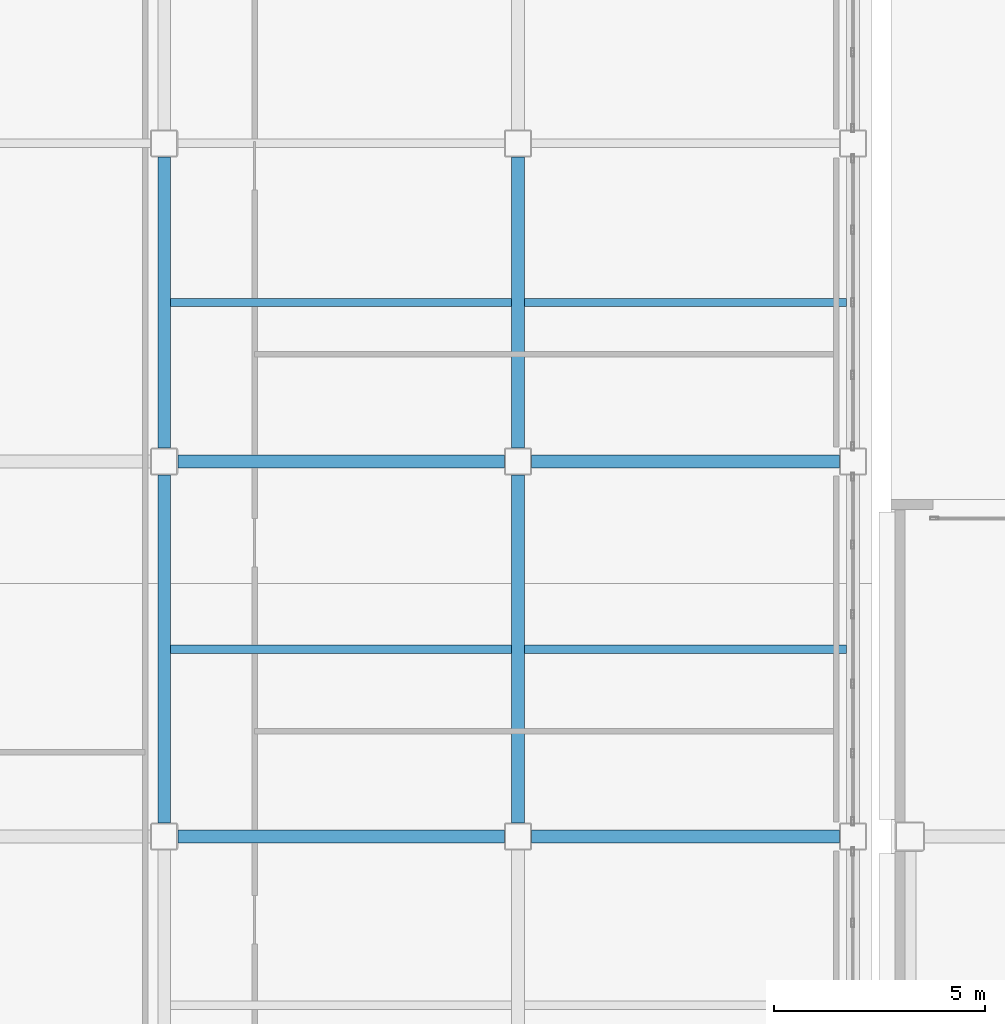
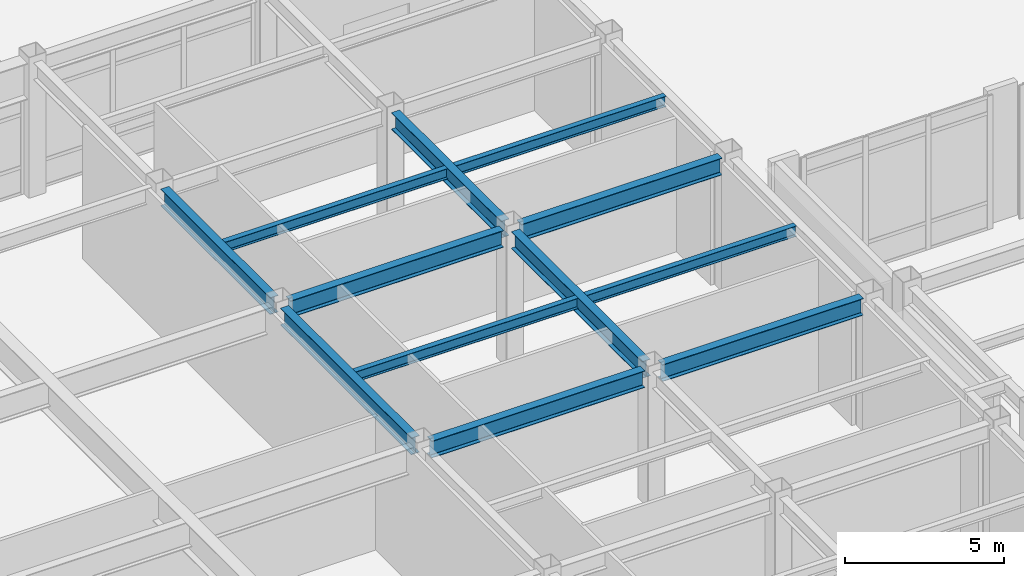
# One storey, part 53 of 165: 12 beams.
"""IFC4 building model written with IfcOpenShell, lengths in metres."""

from ifc_helpers import new_model, si_unit, direction, frame, origin, origin_2d, place, context, subcontext, project, spatial, i_section, extrude, material, material_profile, profile_set, type_object, element, save


model = new_model("IFC4")

# Units and contexts
model_context = context("Model", 3, precision=1e-05, world=origin(), true_north=direction((0.0, 1.0)))
body_context = subcontext(model_context, "Body", "Model", "MODEL_VIEW")
ifc_project = project(units=[si_unit("LENGTHUNIT", "METRE"), si_unit("AREAUNIT", "SQUARE_METRE"), si_unit("VOLUMEUNIT", "CUBIC_METRE"), si_unit("PLANEANGLEUNIT", "RADIAN"), si_unit("MASSUNIT", "GRAM", prefix="KILO")], contexts=[model_context])

# Site, building, storey
site_placement = place(None, origin())
site = spatial("IfcSite", under=ifc_project, at=site_placement, CompositionType="ELEMENT")
building_placement = place(site_placement, origin())
building = spatial("IfcBuilding", under=site, at=building_placement, Name="Kazehara Bluff Congress Hotel", CompositionType="ELEMENT")
storey_placement = place(building_placement, origin())
storey = spatial("IfcBuildingStorey", under=building, at=storey_placement, Name="L00", CompositionType="ELEMENT", Elevation=0.0)

# Beams
ifc_material_1 = material(Name="Steel SN490B", Category="steel")
ifc_material_profile_1 = material_profile(ifc_material_1, i_section(OverallWidth=0.300048828125, OverallDepth=0.64990234375, WebThickness=0.011962890625, FlangeThickness=0.02001953125, FilletRadius=0.012939453125, at=origin_2d()))
ifc_profile_set_1 = profile_set([ifc_material_profile_1], Name="Steel SN490B")
beam_type_1 = type_object("IfcBeamType", Name="TP-G-03", PredefinedType="BEAM", material=ifc_profile_set_1)
beam_1_placement = place(storey_placement, frame((92.85009765625, 32.324951171875, 4.824951171875), z_axis=(0.0, 1.0, 0.0), x_axis=(-1.0, 0.0, 0.0)))
element("IfcBeam", 1, at=beam_1_placement, inside=storey, type_object=beam_type_1, Name="L00 girder G-03 172", PredefinedType="BEAM", context=body_context, shape_type="SweptSolid", body=[
    extrude(i_section(OverallWidth=0.300048828125, OverallDepth=0.64990234375, WebThickness=0.011962890625, FlangeThickness=0.02001953125, FilletRadius=0.012939453125, at=origin_2d()), origin(), (0.0, 0.0, 1.0), 8.25),
])
beam_2_placement = place(storey_placement, frame((92.85009765625, 41.22509765625, 4.824951171875), z_axis=(0.0, 1.0, 0.0), x_axis=(-1.0, 0.0, 0.0)))
element("IfcBeam", 2, at=beam_2_placement, inside=storey, type_object=beam_type_1, Name="L00 girder G-03 173", PredefinedType="BEAM", context=body_context, shape_type="SweptSolid", body=[
    extrude(i_section(OverallWidth=0.300048828125, OverallDepth=0.64990234375, WebThickness=0.011962890625, FlangeThickness=0.02001953125, FilletRadius=0.012939453125, at=origin_2d()), origin(), (0.0, 0.0, 1.0), 6.89990234375),
])
beam_3_placement = place(storey_placement, frame((101.25, 32.324951171875, 4.824951171875), z_axis=(0.0, 1.0, 0.0), x_axis=(-1.0, 0.0, 0.0)))
element("IfcBeam", 3, at=beam_3_placement, inside=storey, type_object=beam_type_1, Name="L00 girder G-03 177", PredefinedType="BEAM", context=body_context, shape_type="SweptSolid", body=[
    extrude(i_section(OverallWidth=0.300048828125, OverallDepth=0.64990234375, WebThickness=0.011962890625, FlangeThickness=0.02001953125, FilletRadius=0.012939453125, at=origin_2d()), origin(), (0.0, 0.0, 1.0), 8.25),
])
beam_4_placement = place(storey_placement, frame((101.25, 41.22509765625, 4.824951171875), z_axis=(0.0, 1.0, 0.0), x_axis=(-1.0, 0.0, 0.0)))
element("IfcBeam", 4, at=beam_4_placement, inside=storey, type_object=beam_type_1, Name="L00 girder G-03 178", PredefinedType="BEAM", context=body_context, shape_type="SweptSolid", body=[
    extrude(i_section(OverallWidth=0.300048828125, OverallDepth=0.64990234375, WebThickness=0.011962890625, FlangeThickness=0.02001953125, FilletRadius=0.012939453125, at=origin_2d()), origin(), (0.0, 0.0, 1.0), 6.89990234375),
])
beam_5_placement = place(storey_placement, frame((93.175048828125, 32.0, 4.824951171875), z_axis=(1.0, 0.0, 0.0), x_axis=(0.0, 1.0, 0.0)))
element("IfcBeam", 5, at=beam_5_placement, inside=storey, type_object=beam_type_1, Name="L00 girder G-03 202", PredefinedType="BEAM", context=body_context, shape_type="SweptSolid", body=[
    extrude(i_section(OverallWidth=0.300048828125, OverallDepth=0.64990234375, WebThickness=0.011962890625, FlangeThickness=0.02001953125, FilletRadius=0.012939453125, at=origin_2d()), origin(), (0.0, 0.0, 1.0), 7.75),
])
beam_6_placement = place(storey_placement, frame((101.574951171875, 32.0, 4.824951171875), z_axis=(1.0, 0.0, 0.0), x_axis=(0.0, 1.0, 0.0)))
element("IfcBeam", 6, at=beam_6_placement, inside=storey, type_object=beam_type_1, Name="L00 girder G-03 203", PredefinedType="BEAM", context=body_context, shape_type="SweptSolid", body=[
    extrude(i_section(OverallWidth=0.300048828125, OverallDepth=0.64990234375, WebThickness=0.011962890625, FlangeThickness=0.02001953125, FilletRadius=0.012939453125, at=origin_2d()), origin(), (0.0, 0.0, 1.0), 7.300048828125),
])
beam_7_placement = place(storey_placement, frame((93.175048828125, 40.89990234375, 4.824951171875), z_axis=(1.0, 0.0, 0.0), x_axis=(0.0, 1.0, 0.0)))
element("IfcBeam", 7, at=beam_7_placement, inside=storey, type_object=beam_type_1, Name="L00 girder G-03 207", PredefinedType="BEAM", context=body_context, shape_type="SweptSolid", body=[
    extrude(i_section(OverallWidth=0.300048828125, OverallDepth=0.64990234375, WebThickness=0.011962890625, FlangeThickness=0.02001953125, FilletRadius=0.012939453125, at=origin_2d()), origin(), (0.0, 0.0, 1.0), 7.75),
])
beam_8_placement = place(storey_placement, frame((101.574951171875, 40.89990234375, 4.824951171875), z_axis=(1.0, 0.0, 0.0), x_axis=(0.0, 1.0, 0.0)))
element("IfcBeam", 8, at=beam_8_placement, inside=storey, type_object=beam_type_1, Name="L00 girder G-03 208", PredefinedType="BEAM", context=body_context, shape_type="SweptSolid", body=[
    extrude(i_section(OverallWidth=0.300048828125, OverallDepth=0.64990234375, WebThickness=0.011962890625, FlangeThickness=0.02001953125, FilletRadius=0.012939453125, at=origin_2d()), origin(), (0.0, 0.0, 1.0), 7.300048828125),
])
ifc_material_2 = material(Name="Steel SN400B", Category="steel")
ifc_material_profile_2 = material_profile(ifc_material_2, i_section(OverallWidth=0.199951171875, OverallDepth=0.39990234375, WebThickness=0.008056640625, FlangeThickness=0.012939453125, FilletRadius=0.012939453125, at=origin_2d()))
ifc_profile_set_2 = profile_set([ifc_material_profile_2], Name="Steel SN400B")
beam_type_2 = type_object("IfcBeamType", Name="TP-J-03", PredefinedType="JOIST", material=ifc_profile_set_2)
for number, where, z_axis, x_axis, name in (
    (9, (93.0, 36.449951171875, 4.949951171875), (1.0, 0.0, 0.0), (0.0, 1.0, 0.0), "L00 secondary joist J-03 45"),
    (10, (93.0, 44.675048828125, 4.949951171875), (1.0, 0.0, 0.0), (0.0, 1.0, 0.0), "L00 secondary joist J-03 46"),
):
    element("IfcBeam", number, at=place(storey_placement, frame(where, z_axis=z_axis, x_axis=x_axis)), inside=storey, type_object=beam_type_2, Name=name, PredefinedType="JOIST", context=body_context, shape_type="SweptSolid", body=[
        extrude(i_section(OverallWidth=0.199951171875, OverallDepth=0.39990234375, WebThickness=0.008056640625, FlangeThickness=0.012939453125, FilletRadius=0.012939453125, at=origin_2d()), origin(), (0.0, 0.0, 1.0), 8.10009765625),
    ])
for number, where, z_axis, x_axis, name in (
    (11, (101.39990234375, 36.449951171875, 4.949951171875), (1.0, 0.0, 0.0), (0.0, 1.0, 0.0), "L00 secondary joist J-03 50"),
    (12, (101.39990234375, 44.675048828125, 4.949951171875), (1.0, 0.0, 0.0), (0.0, 1.0, 0.0), "L00 secondary joist J-03 51"),
):
    element("IfcBeam", number, at=place(storey_placement, frame(where, z_axis=z_axis, x_axis=x_axis)), inside=storey, type_object=beam_type_2, Name=name, PredefinedType="JOIST", context=body_context, shape_type="SweptSolid", body=[
        extrude(i_section(OverallWidth=0.199951171875, OverallDepth=0.39990234375, WebThickness=0.008056640625, FlangeThickness=0.012939453125, FilletRadius=0.012939453125, at=origin_2d()), origin(), (0.0, 0.0, 1.0), 7.650146484375),
    ])

save(model, "model.ifc")
